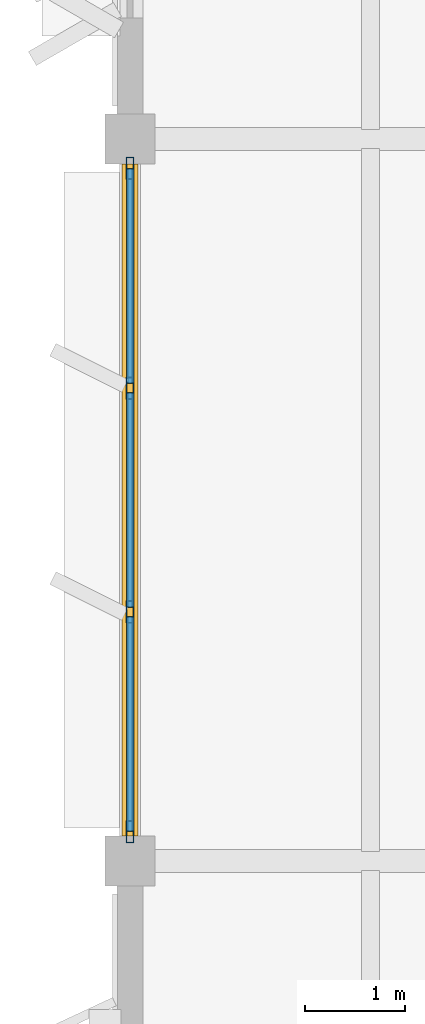
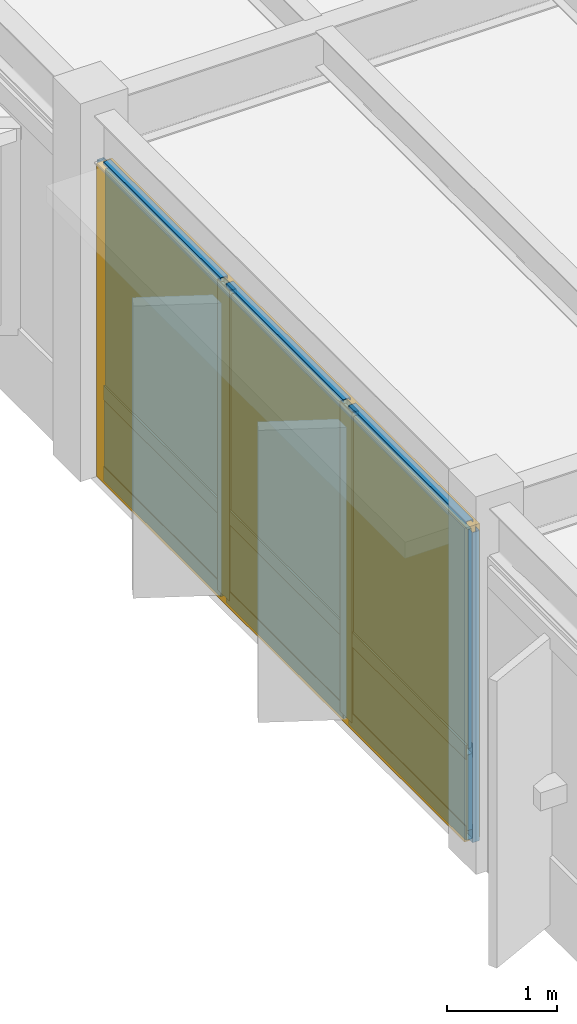
# One storey, part 50 of 85: 13 members, 6 plates, 1 curtain wall.
"""IFC4 building model written with IfcOpenShell, lengths in metres."""

from ifc_helpers import new_model, si_unit, direction, frame, origin, origin_2d, place, context, subcontext, project, spatial, rectangle, hollow_rectangle, extrude, material, layer, layer_set, material_profile, profile_set, type_object, element, aggregate, save


model = new_model("IFC4")

# Units and contexts
model_context = context("Model", 3, precision=1e-05, world=origin(), true_north=direction((0.0, 1.0)))
body_context = subcontext(model_context, "Body", "Model", "MODEL_VIEW")
ifc_project = project(units=[si_unit("LENGTHUNIT", "METRE"), si_unit("AREAUNIT", "SQUARE_METRE"), si_unit("VOLUMEUNIT", "CUBIC_METRE"), si_unit("PLANEANGLEUNIT", "RADIAN"), si_unit("MASSUNIT", "GRAM", prefix="KILO")], contexts=[model_context])

# Member
ifc_material_1 = material(Name="Anodized Aluminium 6063-T6", Category="aluminium")
ifc_material_profile_1 = material_profile(ifc_material_1, hollow_rectangle(XDim=0.074951171875, YDim=0.219970703125, WallThickness=0.0048828125, at=origin_2d()), Name="ALU 75x220x5")
ifc_profile_set_1 = profile_set([ifc_material_profile_1], Name="Anodized Aluminium 6063-T6")
member_type_1 = type_object("IfcMemberType", Name="CWM-75X180", PredefinedType="MULLION", material=ifc_profile_set_1)
site_placement = place(None, origin())
building_placement = place(site_placement, origin())
storey_placement = place(building_placement, frame((0.0, 0.0, 9.89990234375)))
member_1_placement = place(storey_placement, frame((7.199951171875, 65.090087890625, 0.02001953125), z_axis=(0.0, 0.0, 1.0), x_axis=(1.0, 0.0, 0.0)))
member_1 = element("IfcMember", 1, at=member_1_placement, type_object=member_type_1, Name="Curtain wall mullion CW-L03-01-09-W-00", PredefinedType="MULLION", context=body_context, shape_type="SweptSolid", body=[
    extrude(hollow_rectangle(XDim=0.074951171875, YDim=0.219970703125, WallThickness=0.0048828125, at=origin_2d()), origin(), (0.0, 0.0, 1.0), 3.447021484375),
])

member_2_placement = place(storey_placement, frame((7.199951171875, 67.283203125, 0.02001953125), z_axis=(0.0, 0.0, 1.0), x_axis=(1.0, 0.0, 0.0)))
member_2 = element("IfcMember", 2, at=member_2_placement, type_object=member_type_1, Name="Curtain wall mullion CW-L03-01-09-W-01", PredefinedType="MULLION", context=body_context, shape_type="SweptSolid", body=[
    extrude(hollow_rectangle(XDim=0.074951171875, YDim=0.219970703125, WallThickness=0.0048828125, at=origin_2d()), origin(), (0.0, 0.0, 1.0), 3.447021484375),
])

member_3_placement = place(storey_placement, frame((7.199951171875, 69.5166015625, 0.02001953125), z_axis=(0.0, 0.0, 1.0), x_axis=(1.0, 0.0, 0.0)))
member_3 = element("IfcMember", 3, at=member_3_placement, type_object=member_type_1, Name="Curtain wall mullion CW-L03-01-09-W-02", PredefinedType="MULLION", context=body_context, shape_type="SweptSolid", body=[
    extrude(hollow_rectangle(XDim=0.074951171875, YDim=0.219970703125, WallThickness=0.0048828125, at=origin_2d()), origin(), (0.0, 0.0, 1.0), 3.447021484375),
])

member_4_placement = place(storey_placement, frame((7.199951171875, 71.7099609375, 0.02001953125), z_axis=(0.0, 0.0, 1.0), x_axis=(1.0, 0.0, 0.0)))
member_4 = element("IfcMember", 4, at=member_4_placement, type_object=member_type_1, Name="Curtain wall mullion CW-L03-01-09-W-03", PredefinedType="MULLION", context=body_context, shape_type="SweptSolid", body=[
    extrude(hollow_rectangle(XDim=0.074951171875, YDim=0.219970703125, WallThickness=0.0048828125, at=origin_2d()), origin(), (0.0, 0.0, 1.0), 3.447021484375),
])

ifc_material_profile_2 = material_profile(ifc_material_1, hollow_rectangle(XDim=0.074951171875, YDim=0.159912109375, WallThickness=0.00390625, at=origin_2d()), Name="ALU 75x160x4")
ifc_profile_set_2 = profile_set([ifc_material_profile_2], Name="Anodized Aluminium 6063-T6")
member_type_2 = type_object("IfcMemberType", Name="CWT-75X150", PredefinedType="USERDEFINED", material=ifc_profile_set_2)
member_5_placement = place(storey_placement, frame((7.199951171875, 65.10009765625, 0.050048828125), z_axis=(0.0, 1.0, 0.0), x_axis=(-1.0, 0.0, 0.0)))
member_5 = element("IfcMember", 5, at=member_5_placement, type_object=member_type_2, Name="Curtain wall transom CW-L03-01-09-W-1.01", ObjectType="TRANSOM", PredefinedType="USERDEFINED", context=body_context, shape_type="SweptSolid", body=[
    extrude(hollow_rectangle(XDim=0.074951171875, YDim=0.159912109375, WallThickness=0.00390625, at=origin_2d()), origin(), (0.0, 0.0, 1.0), 2.13330078125),
])

member_6_placement = place(storey_placement, frame((7.199951171875, 67.333251953125, 0.050048828125), z_axis=(0.0, 1.0, 0.0), x_axis=(-1.0, 0.0, 0.0)))
member_6 = element("IfcMember", 6, at=member_6_placement, type_object=member_type_2, Name="Curtain wall transom CW-L03-01-09-W-1.02", ObjectType="TRANSOM", PredefinedType="USERDEFINED", context=body_context, shape_type="SweptSolid", body=[
    extrude(hollow_rectangle(XDim=0.074951171875, YDim=0.159912109375, WallThickness=0.00390625, at=origin_2d()), origin(), (0.0, 0.0, 1.0), 2.133544921875),
])

member_7_placement = place(storey_placement, frame((7.199951171875, 69.566650390625, 0.050048828125), z_axis=(0.0, 1.0, 0.0), x_axis=(-1.0, 0.0, 0.0)))
member_7 = element("IfcMember", 7, at=member_7_placement, type_object=member_type_2, Name="Curtain wall transom CW-L03-01-09-W-1.03", ObjectType="TRANSOM", PredefinedType="USERDEFINED", context=body_context, shape_type="SweptSolid", body=[
    extrude(hollow_rectangle(XDim=0.074951171875, YDim=0.159912109375, WallThickness=0.00390625, at=origin_2d()), origin(), (0.0, 0.0, 1.0), 2.13330078125),
])

member_8_placement = place(storey_placement, frame((7.199951171875, 65.10009765625, 0.9501953125), z_axis=(0.0, 1.0, 0.0), x_axis=(-1.0, 0.0, 0.0)))
member_8 = element("IfcMember", 8, at=member_8_placement, type_object=member_type_2, Name="Curtain wall transom CW-L03-01-09-W-2.01", ObjectType="TRANSOM", PredefinedType="USERDEFINED", context=body_context, shape_type="SweptSolid", body=[
    extrude(hollow_rectangle(XDim=0.074951171875, YDim=0.159912109375, WallThickness=0.00390625, at=origin_2d()), origin(), (0.0, 0.0, 1.0), 2.13330078125),
])

member_9_placement = place(storey_placement, frame((7.199951171875, 67.333251953125, 0.9501953125), z_axis=(0.0, 1.0, 0.0), x_axis=(-1.0, 0.0, 0.0)))
member_9 = element("IfcMember", 9, at=member_9_placement, type_object=member_type_2, Name="Curtain wall transom CW-L03-01-09-W-2.02", ObjectType="TRANSOM", PredefinedType="USERDEFINED", context=body_context, shape_type="SweptSolid", body=[
    extrude(hollow_rectangle(XDim=0.074951171875, YDim=0.159912109375, WallThickness=0.00390625, at=origin_2d()), origin(), (0.0, 0.0, 1.0), 2.133544921875),
])

member_10_placement = place(storey_placement, frame((7.199951171875, 69.566650390625, 0.9501953125), z_axis=(0.0, 1.0, 0.0), x_axis=(-1.0, 0.0, 0.0)))
member_10 = element("IfcMember", 10, at=member_10_placement, type_object=member_type_2, Name="Curtain wall transom CW-L03-01-09-W-2.03", ObjectType="TRANSOM", PredefinedType="USERDEFINED", context=body_context, shape_type="SweptSolid", body=[
    extrude(hollow_rectangle(XDim=0.074951171875, YDim=0.159912109375, WallThickness=0.00390625, at=origin_2d()), origin(), (0.0, 0.0, 1.0), 2.13330078125),
])

member_11_placement = place(storey_placement, frame((7.199951171875, 65.10009765625, 3.43701171875), z_axis=(0.0, 1.0, 0.0), x_axis=(-1.0, 0.0, 0.0)))
member_11 = element("IfcMember", 11, at=member_11_placement, type_object=member_type_2, Name="Curtain wall transom CW-L03-01-09-W-3.01", ObjectType="TRANSOM", PredefinedType="USERDEFINED", context=body_context, shape_type="SweptSolid", body=[
    extrude(hollow_rectangle(XDim=0.074951171875, YDim=0.159912109375, WallThickness=0.00390625, at=origin_2d()), origin(), (0.0, 0.0, 1.0), 2.13330078125),
])

member_12_placement = place(storey_placement, frame((7.199951171875, 67.333251953125, 3.43701171875), z_axis=(0.0, 1.0, 0.0), x_axis=(-1.0, 0.0, 0.0)))
member_12 = element("IfcMember", 12, at=member_12_placement, type_object=member_type_2, Name="Curtain wall transom CW-L03-01-09-W-3.02", ObjectType="TRANSOM", PredefinedType="USERDEFINED", context=body_context, shape_type="SweptSolid", body=[
    extrude(hollow_rectangle(XDim=0.074951171875, YDim=0.159912109375, WallThickness=0.00390625, at=origin_2d()), origin(), (0.0, 0.0, 1.0), 2.133544921875),
])

member_13_placement = place(storey_placement, frame((7.199951171875, 69.566650390625, 3.43701171875), z_axis=(0.0, 1.0, 0.0), x_axis=(-1.0, 0.0, 0.0)))
member_13 = element("IfcMember", 13, at=member_13_placement, type_object=member_type_2, Name="Curtain wall transom CW-L03-01-09-W-3.03", ObjectType="TRANSOM", PredefinedType="USERDEFINED", context=body_context, shape_type="SweptSolid", body=[
    extrude(hollow_rectangle(XDim=0.074951171875, YDim=0.159912109375, WallThickness=0.00390625, at=origin_2d()), origin(), (0.0, 0.0, 1.0), 2.13330078125),
])

# Plate
ifc_material_2 = material(Name="Acoustic Laminated Low-E Glazing", Category="glass")
ifc_layer_1 = layer(ifc_material_2, 0.0439453125)
ifc_layer_set_1 = layer_set([ifc_layer_1], Name="Acoustic Laminated Low-E Glazing")
plate_type_1 = type_object("IfcPlateType", Name="CWP-IGU-44", PredefinedType="CURTAIN_PANEL", material=ifc_layer_set_1)
plate_1_placement = place(storey_placement, frame((7.199951171875, 66.166748046875, 0.989990234375), z_axis=(0.0, 0.0, 1.0), x_axis=(0.0, 1.0, 0.0)))
plate_1 = element("IfcPlate", 14, at=plate_1_placement, type_object=plate_type_1, Name="Curtain wall vision glazing CW-L03-01-09-W-01", PredefinedType="CURTAIN_PANEL", context=body_context, shape_type="SweptSolid", body=[
    extrude(rectangle(XDim=2.143310546875, YDim=0.0400390625, at=origin_2d()), origin(), (0.0, 0.0, 1.0), 2.43701171875),
])

plate_2_placement = place(storey_placement, frame((7.199951171875, 68.39990234375, 0.989990234375), z_axis=(0.0, 0.0, 1.0), x_axis=(0.0, 1.0, 0.0)))
plate_2 = element("IfcPlate", 15, at=plate_2_placement, type_object=plate_type_1, Name="Curtain wall vision glazing CW-L03-01-09-W-02", PredefinedType="CURTAIN_PANEL", context=body_context, shape_type="SweptSolid", body=[
    extrude(rectangle(XDim=2.143310546875, YDim=0.0400390625, at=origin_2d()), origin(), (0.0, 0.0, 1.0), 2.43701171875),
])

plate_3_placement = place(storey_placement, frame((7.199951171875, 70.63330078125, 0.989990234375), z_axis=(0.0, 0.0, 1.0), x_axis=(0.0, 1.0, 0.0)))
plate_3 = element("IfcPlate", 16, at=plate_3_placement, type_object=plate_type_1, Name="Curtain wall vision glazing CW-L03-01-09-W-03", PredefinedType="CURTAIN_PANEL", context=body_context, shape_type="SweptSolid", body=[
    extrude(rectangle(XDim=2.143310546875, YDim=0.0400390625, at=origin_2d()), origin(), (0.0, 0.0, 1.0), 2.43701171875),
])

ifc_material_3 = material(Name="Insulated Stone-Composite Spandrel", Category="masonry")
ifc_layer_2 = layer(ifc_material_3, 0.068115234375)
ifc_layer_set_2 = layer_set([ifc_layer_2], Name="Insulated Stone-Composite Spandrel")
plate_type_2 = type_object("IfcPlateType", Name="CWP-SPN-68", PredefinedType="CURTAIN_PANEL", material=ifc_layer_set_2)
plate_4_placement = place(storey_placement, frame((7.199951171875, 66.166748046875, 0.080078125), z_axis=(0.0, 0.0, 1.0), x_axis=(0.0, 1.0, 0.0)))
plate_4 = element("IfcPlate", 17, at=plate_4_placement, type_object=plate_type_2, Name="Curtain wall spandrel panel CW-L03-01-09-W-01", PredefinedType="CURTAIN_PANEL", context=body_context, shape_type="SweptSolid", body=[
    extrude(rectangle(XDim=2.143310546875, YDim=0.06005859375, at=origin_2d()), origin(), (0.0, 0.0, 1.0), 0.840087890625),
])

plate_5_placement = place(storey_placement, frame((7.199951171875, 68.39990234375, 0.080078125), z_axis=(0.0, 0.0, 1.0), x_axis=(0.0, 1.0, 0.0)))
plate_5 = element("IfcPlate", 18, at=plate_5_placement, type_object=plate_type_2, Name="Curtain wall spandrel panel CW-L03-01-09-W-02", PredefinedType="CURTAIN_PANEL", context=body_context, shape_type="SweptSolid", body=[
    extrude(rectangle(XDim=2.143310546875, YDim=0.06005859375, at=origin_2d()), origin(), (0.0, 0.0, 1.0), 0.840087890625),
])

plate_6_placement = place(storey_placement, frame((7.199951171875, 70.63330078125, 0.080078125), z_axis=(0.0, 0.0, 1.0), x_axis=(0.0, 1.0, 0.0)))
plate_6 = element("IfcPlate", 19, at=plate_6_placement, type_object=plate_type_2, Name="Curtain wall spandrel panel CW-L03-01-09-W-03", PredefinedType="CURTAIN_PANEL", context=body_context, shape_type="SweptSolid", body=[
    extrude(rectangle(XDim=2.143310546875, YDim=0.06005859375, at=origin_2d()), origin(), (0.0, 0.0, 1.0), 0.840087890625),
])

# Site, building, storey
site = spatial("IfcSite", under=ifc_project, at=site_placement, CompositionType="ELEMENT")
building = spatial("IfcBuilding", under=site, at=building_placement, Name="Sillqori Civic Hall", CompositionType="ELEMENT")
storey = spatial("IfcBuildingStorey", under=building, at=storey_placement, Name="L03", CompositionType="ELEMENT", Elevation=9.89990234375)

# Curtain wall
ifc_material_4 = material(Name="Anodized Aluminium Curtain Wall System", Category="aluminium")
curtain_wall_type = type_object("IfcCurtainWallType", Name="CW-GL-400", PredefinedType="NOTDEFINED", material=ifc_material_4)
curtain_wall_placement = place(storey_placement, frame((7.199951171875, 68.39990234375, 0.0), z_axis=(0.0, 0.0, 1.0), x_axis=(0.0, 1.0, 0.0)))
curtain_wall = element("IfcCurtainWall", 20, at=curtain_wall_placement, inside=storey, type_object=curtain_wall_type, Name="L03 unitised curtain wall CW-L03-01-09-W", PredefinedType="NOTDEFINED", context=body_context, shape_type="SweptSolid", body=[
    extrude(rectangle(XDim=6.699951171875, YDim=0.159912109375, at=origin_2d()), origin(), (0.0, 0.0, 1.0), 3.487060546875),
])

aggregate(curtain_wall, [member_1, member_2, member_3, member_4, member_5, member_6, member_7, member_8, member_9, member_10, member_11, member_12, member_13, plate_4, plate_1, plate_5, plate_2, plate_6, plate_3])

save(model, "model.ifc")
